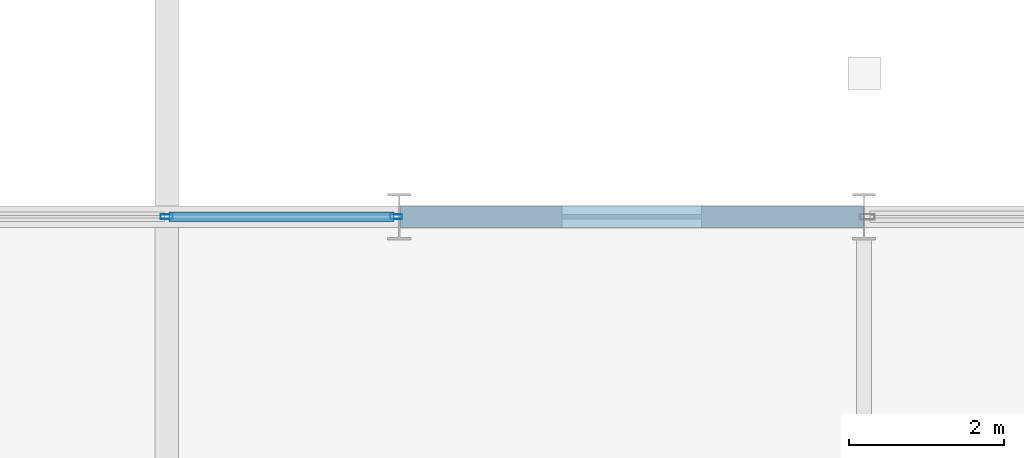
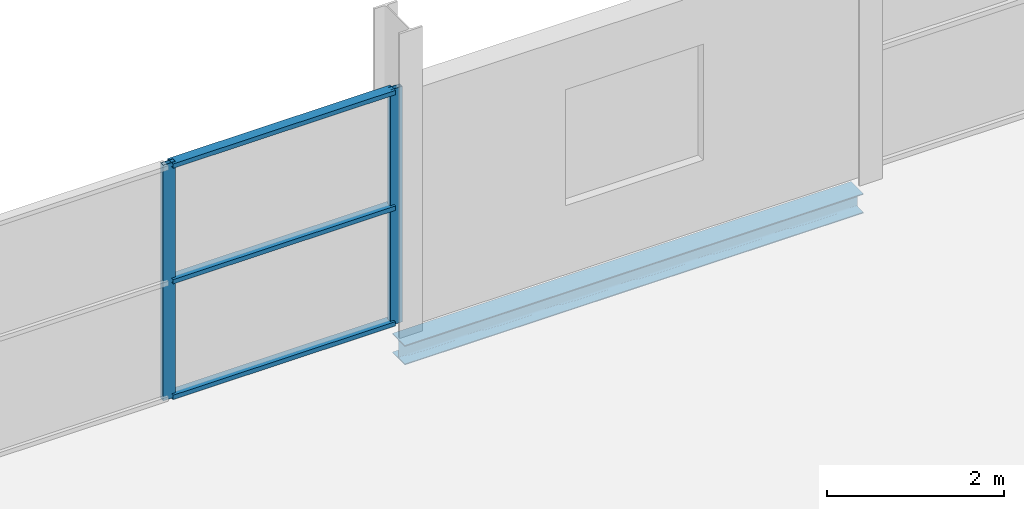
# One storey, part 38 of 135: 5 members, 1 beam, 1 element without a shape of its own.
"""IFC4 building model written with IfcOpenShell, lengths in metres."""

from ifc_helpers import new_model, si_unit, direction, frame, origin, origin_2d, place, context, subcontext, project, spatial, hollow_rectangle, i_section, extrude, material, layer, layer_set, material_profile, profile_set, type_object, element, aggregate, save


model = new_model("IFC4")

# Units and contexts
model_context = context("Model", 3, precision=1e-05, world=origin(), true_north=direction((0.0, 1.0)))
body_context = subcontext(model_context, "Body", "Model", "MODEL_VIEW")
ifc_project = project(units=[si_unit("LENGTHUNIT", "METRE"), si_unit("AREAUNIT", "SQUARE_METRE"), si_unit("VOLUMEUNIT", "CUBIC_METRE"), si_unit("PLANEANGLEUNIT", "RADIAN"), si_unit("MASSUNIT", "GRAM", prefix="KILO")], contexts=[model_context])

# Site, building, storey
site_placement = place(None, origin())
site = spatial("IfcSite", under=ifc_project, at=site_placement, CompositionType="ELEMENT")
building_placement = place(site_placement, origin())
building = spatial("IfcBuilding", under=site, at=building_placement, Name="Deido Ridge Mobility Hub", CompositionType="ELEMENT")
storey_placement = place(building_placement, frame((0.0, 0.0, 4.199951171875)))
storey = spatial("IfcBuildingStorey", under=building, at=storey_placement, Name="L01", CompositionType="ELEMENT", Elevation=4.199951171875)

# Curtain wall, members
ifc_material_1 = material(Name="Anodised aluminium EN AW-6063 T6", Category="aluminium")
ifc_layer = layer(ifc_material_1, 0.14404296875, Name="Anodised aluminium EN AW-6063 T6")
ifc_layer_set = layer_set([ifc_layer], Name="Anodised aluminium EN AW-6063 T6")
curtain_wall_type = type_object("IfcCurtainWallType", Name="CW-GS-2", PredefinedType="USERDEFINED", material=ifc_layer_set)
curtain_wall_placement = place(storey_placement, origin())
curtain_wall = element("IfcCurtainWall", 1, at=curtain_wall_placement, inside=storey, type_object=curtain_wall_type, Name="Unitised curtain wall GS2", ObjectType="GLAZED SCREEN", PredefinedType="USERDEFINED")
ifc_material_profile_1 = material_profile(ifc_material_1, hollow_rectangle(XDim=0.06005859375, YDim=0.159912109375, WallThickness=0.00390625, at=origin_2d()), Name="RHS 60x160x4")
ifc_profile_set_1 = profile_set([ifc_material_profile_1], Name="Anodised aluminium EN AW-6063 T6")
member_type_1 = type_object("IfcMemberType", Name="MEM-MUL-60X160", PredefinedType="MULLION", material=ifc_profile_set_1)
member_1_placement = place(storey_placement, frame((9.0, 36.0, 0.0), z_axis=(0.0, 0.0, 1.0), x_axis=(0.0, 1.0, 0.0)))
member_1 = element("IfcMember", 2, at=member_1_placement, type_object=member_type_1, Name="GS2 mullion 2", PredefinedType="MULLION", context=body_context, shape_type="SweptSolid", body=[
    extrude(hollow_rectangle(XDim=0.06005859375, YDim=0.159912109375, WallThickness=0.00390625, at=origin_2d()), origin(), (0.0, 0.0, 1.0), 3.25),
])
member_2_placement = place(storey_placement, frame((11.96240234375, 36.0, 0.0), z_axis=(0.0, 0.0, 1.0), x_axis=(0.0, 1.0, 0.0)))
member_2 = element("IfcMember", 3, at=member_2_placement, type_object=member_type_1, Name="GS2 mullion 3", PredefinedType="MULLION", context=body_context, shape_type="SweptSolid", body=[
    extrude(hollow_rectangle(XDim=0.06005859375, YDim=0.159912109375, WallThickness=0.00390625, at=origin_2d()), origin(), (0.0, 0.0, 1.0), 3.25),
])
ifc_material_profile_2 = material_profile(ifc_material_1, hollow_rectangle(XDim=0.125, YDim=0.06005859375, WallThickness=0.00390625, at=origin_2d()), Name="RHS 125x60x4")
ifc_profile_set_2 = profile_set([ifc_material_profile_2], Name="Anodised aluminium EN AW-6063 T6")
member_type_2 = type_object("IfcMemberType", Name="MEM-TRN-125X60", PredefinedType="USERDEFINED", material=ifc_profile_set_2)
member_3_placement = place(storey_placement, frame((9.030029296875, 36.0, 0.030029296875), z_axis=(1.0, 0.0, 0.0), x_axis=(0.0, 1.0, 0.0)))
member_3 = element("IfcMember", 4, at=member_3_placement, type_object=member_type_2, Name="GS2 transom 2.1", ObjectType="TRANSOM", PredefinedType="USERDEFINED", context=body_context, shape_type="SweptSolid", body=[
    extrude(hollow_rectangle(XDim=0.125, YDim=0.06005859375, WallThickness=0.00390625, at=origin_2d()), origin(), (0.0, 0.0, 1.0), 2.90234375),
])
member_4_placement = place(storey_placement, frame((9.030029296875, 36.0, 1.625), z_axis=(1.0, 0.0, 0.0), x_axis=(0.0, 1.0, 0.0)))
member_4 = element("IfcMember", 5, at=member_4_placement, type_object=member_type_2, Name="GS2 transom 2.2", ObjectType="TRANSOM", PredefinedType="USERDEFINED", context=body_context, shape_type="SweptSolid", body=[
    extrude(hollow_rectangle(XDim=0.125, YDim=0.06005859375, WallThickness=0.00390625, at=origin_2d()), origin(), (0.0, 0.0, 1.0), 2.90234375),
])
member_5_placement = place(storey_placement, frame((9.030029296875, 36.0, 3.219970703125), z_axis=(1.0, 0.0, 0.0), x_axis=(0.0, 1.0, 0.0)))
member_5 = element("IfcMember", 6, at=member_5_placement, type_object=member_type_2, Name="GS2 transom 2.3", ObjectType="TRANSOM", PredefinedType="USERDEFINED", context=body_context, shape_type="SweptSolid", body=[
    extrude(hollow_rectangle(XDim=0.125, YDim=0.06005859375, WallThickness=0.00390625, at=origin_2d()), origin(), (0.0, 0.0, 1.0), 2.90234375),
])
aggregate(curtain_wall, [member_1, member_2, member_3, member_4, member_5])

# Beam
ifc_material_2 = material(Name="Steel S355J2 EN 10025-2", Category="steel")
ifc_material_profile_3 = material_profile(ifc_material_2, i_section(OverallWidth=0.280029296875, OverallDepth=0.27001953125, WebThickness=0.008056640625, FlangeThickness=0.012939453125, FilletRadius=0.02392578125, at=origin_2d()), Name="HEA 280")
ifc_profile_set_3 = profile_set([ifc_material_profile_3], Name="Steel S355J2 EN 10025-2")
beam_type = type_object("IfcBeamType", Name="SPD-HEA280", PredefinedType="SPANDREL", material=ifc_profile_set_3)
beam_placement = place(storey_placement, frame((12.0078125, 36.0, -0.385009765625), z_axis=(1.0, 0.0, 0.0), x_axis=(0.0, 1.0, 0.0)))
element("IfcBeam", 7, at=beam_placement, inside=storey, type_object=beam_type, Name="Floor beam SP2", PredefinedType="SPANDREL", context=body_context, shape_type="SweptSolid", body=[
    extrude(i_section(OverallWidth=0.280029296875, OverallDepth=0.27001953125, WebThickness=0.008056640625, FlangeThickness=0.012939453125, FilletRadius=0.02392578125, at=origin_2d()), origin(), (0.0, 0.0, 1.0), 5.984375),
])

save(model, "model.ifc")
